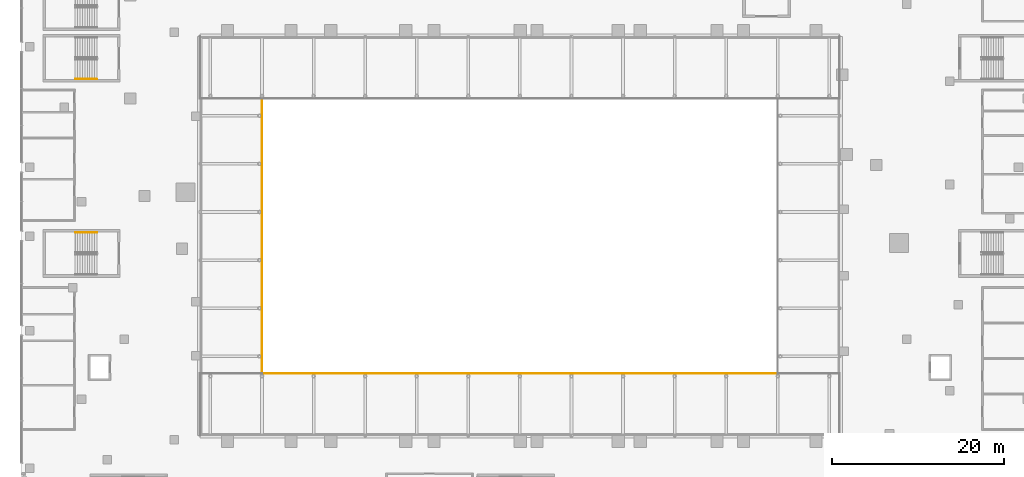
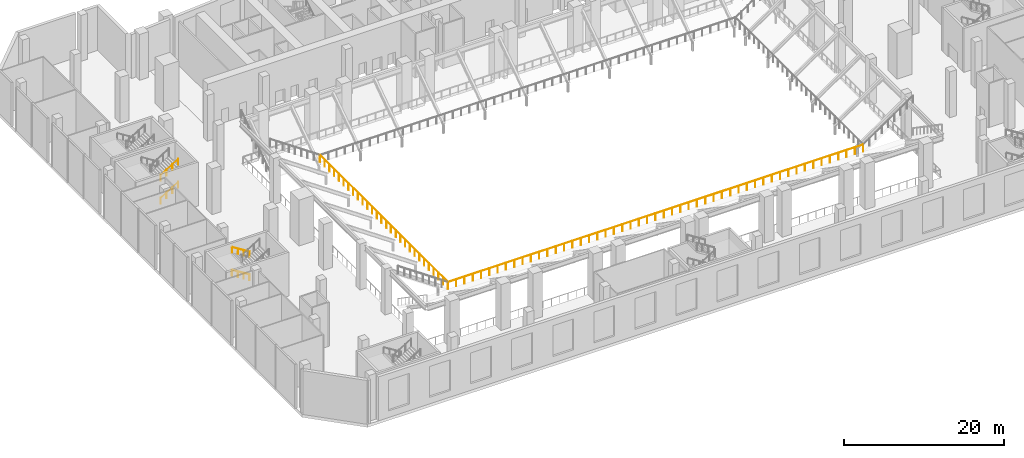
# One storey, part 33 of 41: 6 railings.
"""IFC4 building model written with IfcOpenShell, lengths in metres."""

import ifcopenshell
import ifcopenshell.guid

model = None  # the IFC model being written
_history = None  # IfcOwnerHistory: only IFC2X3 demands one
_inside = {}  # id of a spatial element -> (the spatial element, [elements in it])
_under = {}  # id of a project, library or spatial element -> (it, [spatial elements below it])
_declared = {}  # id of a project -> (the project, [libraries it declares])
_typed = {}  # id of a type object -> (the type object, [elements of that type])
_made_of = {}  # id of a material, layer set ... -> (it, [elements and type objects made of it])


def new_model(schema):
    """Start an empty IFC model of exactly this schema.

    Asked for "IFC4X3", IfcOpenShell would pick the latest addendum, in which some entities
    have other attributes; the version numbers below select the first issue.
    IFC2X3 requires an IfcOwnerHistory on every rooted entity: one is made here for all.
    """
    global model, _history
    if schema == "IFC4X3":
        model = ifcopenshell.file(schema_version=(4, 3, 0, 0))
    else:
        model = ifcopenshell.file(schema=schema)
    _inside.clear()
    _under.clear()
    _declared.clear()
    _typed.clear()
    _made_of.clear()
    _history = None
    if model.schema == "IFC2X3":
        org = make("IfcOrganization", Name="unknown")
        user = make(
            "IfcPersonAndOrganization",
            ThePerson=make("IfcPerson", FamilyName="unknown"),
            TheOrganization=org,
        )
        app = make(
            "IfcApplication",
            ApplicationDeveloper=org,
            Version="unknown",
            ApplicationFullName="unknown",
            ApplicationIdentifier="unknown",
        )
        _history = make(
            "IfcOwnerHistory",
            OwningUser=user,
            OwningApplication=app,
            ChangeAction="ADDED",
            CreationDate=0,
        )
    return model


def make(cls, **values):
    """One entity of the class cls with the attributes given. An attribute that is None is left unset."""
    return model.create_entity(
        cls, **{name: value for name, value in values.items() if value is not None}
    )


def rooted(cls, **values):
    """An entity with a GlobalId (a new one), such as an element, a storey or a relation."""
    return make(cls, GlobalId=ifcopenshell.guid.new(), OwnerHistory=_history, **values)


def si_unit(unit_type, name, prefix=None):
    """IfcSIUnit, for example si_unit("LENGTHUNIT", "METRE", prefix="MILLI")."""
    return make("IfcSIUnit", UnitType=unit_type, Prefix=prefix, Name=name)


def assignment(units):
    """IfcUnitAssignment: the units of a project."""
    return None if units is None else make("IfcUnitAssignment", Units=units)


def point(xyz):
    """IfcCartesianPoint."""
    return None if xyz is None else make("IfcCartesianPoint", Coordinates=xyz)


def direction(xyz):
    """IfcDirection."""
    return None if xyz is None else make("IfcDirection", DirectionRatios=xyz)


def frame(location, z_axis=None, x_axis=None):
    """IfcAxis2Placement3D, a coordinate frame: its origin and axes. An axis left out is left unset."""
    return make(
        "IfcAxis2Placement3D",
        Location=point(location),
        Axis=direction(z_axis),
        RefDirection=direction(x_axis),
    )


def frame_2d(location, x_axis=None):
    """IfcAxis2Placement2D, a coordinate frame in the plane: its origin and x axis."""
    return make(
        "IfcAxis2Placement2D", Location=point(location), RefDirection=direction(x_axis)
    )


def origin():
    """The frame at (0, 0, 0) with its axes left unset."""
    return frame((0.0, 0.0, 0.0))


def origin_2d():
    """The frame at (0, 0) in the plane with its x axis left unset."""
    return frame_2d((0.0, 0.0))


def place(relative_to, where):
    """IfcLocalPlacement: puts the frame where relative to a parent placement (None: the world)."""
    return make(
        "IfcLocalPlacement", PlacementRelTo=relative_to, RelativePlacement=where
    )


def context(
    kind, dimensions, precision=None, world=None, true_north=None, identifier=None
):
    """IfcGeometricRepresentationContext, for example the 3D "Model" context."""
    return make(
        "IfcGeometricRepresentationContext",
        ContextIdentifier=identifier,
        ContextType=kind,
        CoordinateSpaceDimension=dimensions,
        Precision=precision,
        WorldCoordinateSystem=world,
        TrueNorth=true_north,
    )


def subcontext(parent, identifier, kind, view, scale=None):
    """IfcGeometricRepresentationSubContext, for example "Body" below "Model"."""
    return make(
        "IfcGeometricRepresentationSubContext",
        ContextIdentifier=identifier,
        ContextType=kind,
        ParentContext=parent,
        TargetScale=scale,
        TargetView=view,
    )


def project(units=None, contexts=None):
    """IfcProject with its units and contexts."""
    return rooted(
        "IfcProject",
        Name="project",
        RepresentationContexts=contexts,
        UnitsInContext=assignment(units),
    )


def spatial(cls, under=None, at=None, **own):
    """A site, building, storey or space (cls), placed at a placement, below another one or the project."""
    s = rooted(cls, ObjectPlacement=at, **own)
    if under is not None:
        _under.setdefault(under.id(), (under, []))[1].append(s)
    return s


def profile(cls, at=None, kind="AREA", **sizes):
    """A parametric profile (cls). Its sizes go by their IFC names, for example OverallWidth=200.0."""
    return make(cls, ProfileType=kind, Position=at, **sizes)


def circle(**sizes):
    """IfcCircleProfileDef."""
    return profile("IfcCircleProfileDef", **sizes)


def extrude(swept, where, along, depth):
    """IfcExtrudedAreaSolid: the profile swept, set in the frame where, extruded along a direction by depth."""
    return make(
        "IfcExtrudedAreaSolid",
        SweptArea=swept,
        Position=where,
        ExtrudedDirection=direction(along),
        Depth=depth,
    )


def shape(context_of_items, identifier, shape_type, items):
    """IfcShapeRepresentation: the items that make up one representation, for example the "Body"."""
    return make(
        "IfcShapeRepresentation",
        ContextOfItems=context_of_items,
        RepresentationIdentifier=identifier,
        RepresentationType=shape_type,
        Items=items,
    )


def material(Name=None, Category=None):
    """IfcMaterial."""
    return make("IfcMaterial", Name=Name, Category=Category)


def made_of(thing, what):
    """Note that an element or type object is made of a material, layer set ...; save() writes the relation."""
    if what is not None:
        _made_of.setdefault(what.id(), (what, []))[1].append(thing)
    return thing


def type_object(cls, material=None, **own):
    """A type object (cls), such as IfcWallType, which elements share."""
    return made_of(rooted(cls, **own), material)


def element(
    cls,
    number,
    at=None,
    inside=None,
    cuts=None,
    type_object=None,
    material=None,
    context=None,
    identifier="Body",
    shape_type=None,
    held_by="IfcProductDefinitionShape",
    body=None,
    shapes=None,
    **own,
):
    """One element of the class cls, such as IfcWall. Its Tag is "e" and its number.

    at: its placement. inside: the storey or other place that contains it. cuts: it is an
    opening in that element (IfcRelVoidsElement). A single representation is given by context,
    identifier, shape_type and body (its items); several are given by shapes. held_by: the class
    of the entity that holds the representations. save() writes the other relations.
    """
    e = rooted(cls, Tag="e%d" % number, ObjectPlacement=at, **own)
    if body is not None:
        shapes = [shape(context, identifier, shape_type, body)]
    if shapes is not None:
        e.Representation = make(held_by, Representations=shapes)
    if inside is not None:
        _inside.setdefault(inside.id(), (inside, []))[1].append(e)
    if cuts is not None:
        rooted(
            "IfcRelVoidsElement", RelatingBuildingElement=cuts, RelatedOpeningElement=e
        )
    if type_object is not None:
        _typed.setdefault(type_object.id(), (type_object, []))[1].append(e)
    return made_of(e, material)


def aggregate(whole, parts):
    """IfcRelAggregates: a whole, such as a stair, and the parts it consists of."""
    return rooted("IfcRelAggregates", RelatingObject=whole, RelatedObjects=parts)


def save(model, path):
    """Write the relations noted so far, then the file.

    IfcRelAggregates (storeys below a building ...), IfcRelContainedInSpatialStructure (elements
    in a storey), IfcRelDefinesByType, IfcRelAssociatesMaterial and IfcRelDeclares: one each for
    every whole, place, type object, material and project.
    """
    for whole, parts in _under.values():
        aggregate(whole, parts)
    for where, things in _inside.values():
        rooted(
            "IfcRelContainedInSpatialStructure",
            RelatedElements=things,
            RelatingStructure=where,
        )
    for kind, things in _typed.values():
        rooted("IfcRelDefinesByType", RelatedObjects=things, RelatingType=kind)
    for what, things in _made_of.values():
        rooted("IfcRelAssociatesMaterial", RelatedObjects=things, RelatingMaterial=what)
    for by, libraries in _declared.values():
        rooted("IfcRelDeclares", RelatingContext=by, RelatedDefinitions=libraries)
    model.write(path)


model = new_model("IFC4")

# Units and contexts
model_context = context("Model", 3, precision=1e-05, world=origin(), true_north=direction((0.0, 1.0)))
body_context = subcontext(model_context, "Body", "Model", "MODEL_VIEW")
ifc_project = project(units=[si_unit("LENGTHUNIT", "METRE"), si_unit("AREAUNIT", "SQUARE_METRE"), si_unit("VOLUMEUNIT", "CUBIC_METRE"), si_unit("PLANEANGLEUNIT", "RADIAN"), si_unit("MASSUNIT", "GRAM", prefix="KILO")], contexts=[model_context])

# Site, building, storey
site_placement = place(None, origin())
site = spatial("IfcSite", under=ifc_project, at=site_placement, CompositionType="ELEMENT")
building_placement = place(site_placement, origin())
building = spatial("IfcBuilding", under=site, at=building_placement, Name="Wharfspan Tower", CompositionType="ELEMENT")
storey_placement = place(building_placement, frame((0.0, 0.0, 8.0)))
storey = spatial("IfcBuildingStorey", under=building, at=storey_placement, Name="L01", CompositionType="ELEMENT", Elevation=8.0)

# Railings
ifc_material = material(Name="Steel S355J2", Category="steel")
railing_type_1 = type_object("IfcRailingType", Name="Guard 1100", PredefinedType="GUARDRAIL", material=ifc_material)
railing_1_placement = place(storey_placement, frame((16.0, -14.0, 2.050049)))
element("IfcRailing", 1, at=railing_1_placement, inside=storey, type_object=railing_type_1, Name="Guard on the upper tier", PredefinedType="GUARDRAIL", context=body_context, shape_type="SweptSolid", body=[
    extrude(circle(Radius=0.024902, at=origin_2d()), frame((0.0, 0.0, 1.075195), z_axis=(1.0, 0.0, 0.0), x_axis=(0.0, 1.0, 0.0)), (0.0, 0.0, 1.0), 60.0),
    extrude(circle(Radius=0.02002, at=origin_2d()), origin(), (0.0, 0.0, 1.0), 1.050049),
    extrude(circle(Radius=0.02002, at=origin_2d()), frame((1.199951, 0.0, 0.0)), (0.0, 0.0, 1.0), 1.050049),
    extrude(circle(Radius=0.02002, at=origin_2d()), frame((2.399902, 0.0, 0.0)), (0.0, 0.0, 1.0), 1.050049),
    extrude(circle(Radius=0.02002, at=origin_2d()), frame((3.600098, 0.0, 0.0)), (0.0, 0.0, 1.0), 1.050049),
    extrude(circle(Radius=0.02002, at=origin_2d()), frame((4.800049, 0.0, 0.0)), (0.0, 0.0, 1.0), 1.050049),
    extrude(circle(Radius=0.02002, at=origin_2d()), frame((6.0, 0.0, 0.0)), (0.0, 0.0, 1.0), 1.050049),
    extrude(circle(Radius=0.02002, at=origin_2d()), frame((7.199951, 0.0, 0.0)), (0.0, 0.0, 1.0), 1.050049),
    extrude(circle(Radius=0.02002, at=origin_2d()), frame((8.399902, 0.0, 0.0)), (0.0, 0.0, 1.0), 1.050049),
    extrude(circle(Radius=0.02002, at=origin_2d()), frame((9.600098, 0.0, 0.0)), (0.0, 0.0, 1.0), 1.050049),
    extrude(circle(Radius=0.02002, at=origin_2d()), frame((10.800049, 0.0, 0.0)), (0.0, 0.0, 1.0), 1.050049),
    extrude(circle(Radius=0.02002, at=origin_2d()), frame((12.0, 0.0, 0.0)), (0.0, 0.0, 1.0), 1.050049),
    extrude(circle(Radius=0.02002, at=origin_2d()), frame((13.199951, 0.0, 0.0)), (0.0, 0.0, 1.0), 1.050049),
    extrude(circle(Radius=0.02002, at=origin_2d()), frame((14.399902, 0.0, 0.0)), (0.0, 0.0, 1.0), 1.050049),
    extrude(circle(Radius=0.02002, at=origin_2d()), frame((15.600098, 0.0, 0.0)), (0.0, 0.0, 1.0), 1.050049),
    extrude(circle(Radius=0.02002, at=origin_2d()), frame((16.800049, 0.0, 0.0)), (0.0, 0.0, 1.0), 1.050049),
    extrude(circle(Radius=0.02002, at=origin_2d()), frame((18.0, 0.0, 0.0)), (0.0, 0.0, 1.0), 1.050049),
    extrude(circle(Radius=0.02002, at=origin_2d()), frame((19.199951, 0.0, 0.0)), (0.0, 0.0, 1.0), 1.050049),
    extrude(circle(Radius=0.02002, at=origin_2d()), frame((20.399902, 0.0, 0.0)), (0.0, 0.0, 1.0), 1.050049),
    extrude(circle(Radius=0.02002, at=origin_2d()), frame((21.600098, 0.0, 0.0)), (0.0, 0.0, 1.0), 1.050049),
    extrude(circle(Radius=0.02002, at=origin_2d()), frame((22.800049, 0.0, 0.0)), (0.0, 0.0, 1.0), 1.050049),
    extrude(circle(Radius=0.02002, at=origin_2d()), frame((24.0, 0.0, 0.0)), (0.0, 0.0, 1.0), 1.050049),
    extrude(circle(Radius=0.02002, at=origin_2d()), frame((25.199951, 0.0, 0.0)), (0.0, 0.0, 1.0), 1.050049),
    extrude(circle(Radius=0.02002, at=origin_2d()), frame((26.399902, 0.0, 0.0)), (0.0, 0.0, 1.0), 1.050049),
    extrude(circle(Radius=0.02002, at=origin_2d()), frame((27.600098, 0.0, 0.0)), (0.0, 0.0, 1.0), 1.050049),
    extrude(circle(Radius=0.02002, at=origin_2d()), frame((28.800049, 0.0, 0.0)), (0.0, 0.0, 1.0), 1.050049),
    extrude(circle(Radius=0.02002, at=origin_2d()), frame((30.0, 0.0, 0.0)), (0.0, 0.0, 1.0), 1.050049),
    extrude(circle(Radius=0.02002, at=origin_2d()), frame((31.199951, 0.0, 0.0)), (0.0, 0.0, 1.0), 1.050049),
    extrude(circle(Radius=0.02002, at=origin_2d()), frame((32.399902, 0.0, 0.0)), (0.0, 0.0, 1.0), 1.050049),
    extrude(circle(Radius=0.02002, at=origin_2d()), frame((33.600098, 0.0, 0.0)), (0.0, 0.0, 1.0), 1.050049),
    extrude(circle(Radius=0.02002, at=origin_2d()), frame((34.800049, 0.0, 0.0)), (0.0, 0.0, 1.0), 1.050049),
    extrude(circle(Radius=0.02002, at=origin_2d()), frame((36.0, 0.0, 0.0)), (0.0, 0.0, 1.0), 1.050049),
    extrude(circle(Radius=0.02002, at=origin_2d()), frame((37.199951, 0.0, 0.0)), (0.0, 0.0, 1.0), 1.050049),
    extrude(circle(Radius=0.02002, at=origin_2d()), frame((38.399902, 0.0, 0.0)), (0.0, 0.0, 1.0), 1.050049),
    extrude(circle(Radius=0.02002, at=origin_2d()), frame((39.600098, 0.0, 0.0)), (0.0, 0.0, 1.0), 1.050049),
    extrude(circle(Radius=0.02002, at=origin_2d()), frame((40.800049, 0.0, 0.0)), (0.0, 0.0, 1.0), 1.050049),
    extrude(circle(Radius=0.02002, at=origin_2d()), frame((42.0, 0.0, 0.0)), (0.0, 0.0, 1.0), 1.050049),
    extrude(circle(Radius=0.02002, at=origin_2d()), frame((43.199951, 0.0, 0.0)), (0.0, 0.0, 1.0), 1.050049),
    extrude(circle(Radius=0.02002, at=origin_2d()), frame((44.399902, 0.0, 0.0)), (0.0, 0.0, 1.0), 1.050049),
    extrude(circle(Radius=0.02002, at=origin_2d()), frame((45.600098, 0.0, 0.0)), (0.0, 0.0, 1.0), 1.050049),
    extrude(circle(Radius=0.02002, at=origin_2d()), frame((46.800049, 0.0, 0.0)), (0.0, 0.0, 1.0), 1.050049),
    extrude(circle(Radius=0.02002, at=origin_2d()), frame((48.0, 0.0, 0.0)), (0.0, 0.0, 1.0), 1.050049),
    extrude(circle(Radius=0.02002, at=origin_2d()), frame((49.199951, 0.0, 0.0)), (0.0, 0.0, 1.0), 1.050049),
    extrude(circle(Radius=0.02002, at=origin_2d()), frame((50.399902, 0.0, 0.0)), (0.0, 0.0, 1.0), 1.050049),
    extrude(circle(Radius=0.02002, at=origin_2d()), frame((51.600098, 0.0, 0.0)), (0.0, 0.0, 1.0), 1.050049),
    extrude(circle(Radius=0.02002, at=origin_2d()), frame((52.800049, 0.0, 0.0)), (0.0, 0.0, 1.0), 1.050049),
    extrude(circle(Radius=0.02002, at=origin_2d()), frame((54.0, 0.0, 0.0)), (0.0, 0.0, 1.0), 1.050049),
    extrude(circle(Radius=0.02002, at=origin_2d()), frame((55.199951, 0.0, 0.0)), (0.0, 0.0, 1.0), 1.050049),
    extrude(circle(Radius=0.02002, at=origin_2d()), frame((56.399902, 0.0, 0.0)), (0.0, 0.0, 1.0), 1.050049),
    extrude(circle(Radius=0.02002, at=origin_2d()), frame((57.600098, 0.0, 0.0)), (0.0, 0.0, 1.0), 1.050049),
    extrude(circle(Radius=0.02002, at=origin_2d()), frame((58.800049, 0.0, 0.0)), (0.0, 0.0, 1.0), 1.050049),
    extrude(circle(Radius=0.02002, at=origin_2d()), frame((60.0, 0.0, 0.0)), (0.0, 0.0, 1.0), 1.050049),
])
railing_2_placement = place(storey_placement, frame((16.0, -14.0, 2.050049)))
element("IfcRailing", 2, at=railing_2_placement, inside=storey, type_object=railing_type_1, Name="Guard on the upper tier", PredefinedType="GUARDRAIL", context=body_context, shape_type="SweptSolid", body=[
    extrude(circle(Radius=0.024902, at=origin_2d()), frame((0.0, 0.0, 1.075195), z_axis=(0.0, 1.0, 0.0), x_axis=(-1.0, 0.0, 0.0)), (0.0, 0.0, 1.0), 32.0),
    extrude(circle(Radius=0.02002, at=origin_2d()), origin(), (0.0, 0.0, 1.0), 1.050049),
    extrude(circle(Radius=0.02002, at=origin_2d()), frame((0.0, 1.185303, 0.0)), (0.0, 0.0, 1.0), 1.050049),
    extrude(circle(Radius=0.02002, at=origin_2d()), frame((0.0, 2.370361, 0.0)), (0.0, 0.0, 1.0), 1.050049),
    extrude(circle(Radius=0.02002, at=origin_2d()), frame((0.0, 3.555664, 0.0)), (0.0, 0.0, 1.0), 1.050049),
    extrude(circle(Radius=0.02002, at=origin_2d()), frame((0.0, 4.740723, 0.0)), (0.0, 0.0, 1.0), 1.050049),
    extrude(circle(Radius=0.02002, at=origin_2d()), frame((0.0, 5.926025, 0.0)), (0.0, 0.0, 1.0), 1.050049),
    extrude(circle(Radius=0.02002, at=origin_2d()), frame((0.0, 7.111084, 0.0)), (0.0, 0.0, 1.0), 1.050049),
    extrude(circle(Radius=0.02002, at=origin_2d()), frame((0.0, 8.296387, 0.0)), (0.0, 0.0, 1.0), 1.050049),
    extrude(circle(Radius=0.02002, at=origin_2d()), frame((0.0, 9.481445, 0.0)), (0.0, 0.0, 1.0), 1.050049),
    extrude(circle(Radius=0.02002, at=origin_2d()), frame((0.0, 10.666748, 0.0)), (0.0, 0.0, 1.0), 1.050049),
    extrude(circle(Radius=0.02002, at=origin_2d()), frame((0.0, 11.851807, 0.0)), (0.0, 0.0, 1.0), 1.050049),
    extrude(circle(Radius=0.02002, at=origin_2d()), frame((0.0, 13.037109, 0.0)), (0.0, 0.0, 1.0), 1.050049),
    extrude(circle(Radius=0.02002, at=origin_2d()), frame((0.0, 14.222168, 0.0)), (0.0, 0.0, 1.0), 1.050049),
    extrude(circle(Radius=0.02002, at=origin_2d()), frame((0.0, 15.407471, 0.0)), (0.0, 0.0, 1.0), 1.050049),
    extrude(circle(Radius=0.02002, at=origin_2d()), frame((0.0, 16.592529, 0.0)), (0.0, 0.0, 1.0), 1.050049),
    extrude(circle(Radius=0.02002, at=origin_2d()), frame((0.0, 17.777832, 0.0)), (0.0, 0.0, 1.0), 1.050049),
    extrude(circle(Radius=0.02002, at=origin_2d()), frame((0.0, 18.962891, 0.0)), (0.0, 0.0, 1.0), 1.050049),
    extrude(circle(Radius=0.02002, at=origin_2d()), frame((0.0, 20.148193, 0.0)), (0.0, 0.0, 1.0), 1.050049),
    extrude(circle(Radius=0.02002, at=origin_2d()), frame((0.0, 21.333252, 0.0)), (0.0, 0.0, 1.0), 1.050049),
    extrude(circle(Radius=0.02002, at=origin_2d()), frame((0.0, 22.518555, 0.0)), (0.0, 0.0, 1.0), 1.050049),
    extrude(circle(Radius=0.02002, at=origin_2d()), frame((0.0, 23.703613, 0.0)), (0.0, 0.0, 1.0), 1.050049),
    extrude(circle(Radius=0.02002, at=origin_2d()), frame((0.0, 24.888916, 0.0)), (0.0, 0.0, 1.0), 1.050049),
    extrude(circle(Radius=0.02002, at=origin_2d()), frame((0.0, 26.073975, 0.0)), (0.0, 0.0, 1.0), 1.050049),
    extrude(circle(Radius=0.02002, at=origin_2d()), frame((0.0, 27.259277, 0.0)), (0.0, 0.0, 1.0), 1.050049),
    extrude(circle(Radius=0.02002, at=origin_2d()), frame((0.0, 28.444336, 0.0)), (0.0, 0.0, 1.0), 1.050049),
    extrude(circle(Radius=0.02002, at=origin_2d()), frame((0.0, 29.629639, 0.0)), (0.0, 0.0, 1.0), 1.050049),
    extrude(circle(Radius=0.02002, at=origin_2d()), frame((0.0, 30.814697, 0.0)), (0.0, 0.0, 1.0), 1.050049),
    extrude(circle(Radius=0.02002, at=origin_2d()), frame((0.0, 32.0, 0.0)), (0.0, 0.0, 1.0), 1.050049),
])
railing_type_2 = type_object("IfcRailingType", Name="Podium stair handrail 900", PredefinedType="HANDRAIL", material=ifc_material)
for number, where, name in (
    (3, (-3.199951, 2.399902, 0.175049), "L01 AS7 stair handrail 1"),
    (4, (-3.199951, 2.399902, 3.675049), "L01 AS7 stair handrail 3"),
):
    element("IfcRailing", number, at=place(storey_placement, frame(where)), inside=storey, type_object=railing_type_2, Name=name, PredefinedType="HANDRAIL", context=body_context, shape_type="SweptSolid", body=[
        extrude(circle(Radius=0.023926, at=origin_2d()), frame((0.0, 0.0, 0.875977), z_axis=(-0.848008, 0.0, 0.529984), x_axis=(0.0, -1.0, 0.0)), (0.0, 0.0, 1.0), 2.97168),
        extrude(circle(Radius=0.020996, at=origin_2d()), origin(), (0.0, 0.0, 1.0), 0.851807),
        extrude(circle(Radius=0.020996, at=origin_2d()), frame((-0.840088, 0.0, 0.524902)), (0.0, 0.0, 1.0), 0.851807),
        extrude(circle(Radius=0.020996, at=origin_2d()), frame((-1.679932, 0.0, 1.050049)), (0.0, 0.0, 1.0), 0.851807),
        extrude(circle(Radius=0.020996, at=origin_2d()), frame((-2.52002, 0.0, 1.574951)), (0.0, 0.0, 1.0), 0.851807),
    ])
for number, where, name in (
    (5, (-5.719971, 20.25, 1.925049), "L01 AS3 stair handrail 2"),
    (6, (-5.719971, 20.25, 5.425049), "L01 AS3 stair handrail 4"),
):
    element("IfcRailing", number, at=place(storey_placement, frame(where)), inside=storey, type_object=railing_type_2, Name=name, PredefinedType="HANDRAIL", context=body_context, shape_type="SweptSolid", body=[
        extrude(circle(Radius=0.023926, at=origin_2d()), frame((0.0, 0.0, 0.875977), z_axis=(0.848008, 0.0, 0.529984), x_axis=(0.0, 1.0, 0.0)), (0.0, 0.0, 1.0), 2.97168),
        extrude(circle(Radius=0.020996, at=origin_2d()), origin(), (0.0, 0.0, 1.0), 0.851807),
        extrude(circle(Radius=0.020996, at=origin_2d()), frame((0.840088, 0.0, 0.524902)), (0.0, 0.0, 1.0), 0.851807),
        extrude(circle(Radius=0.020996, at=origin_2d()), frame((1.679932, 0.0, 1.050049)), (0.0, 0.0, 1.0), 0.851807),
        extrude(circle(Radius=0.020996, at=origin_2d()), frame((2.52002, 0.0, 1.574951)), (0.0, 0.0, 1.0), 0.851807),
    ])

save(model, "model.ifc")
